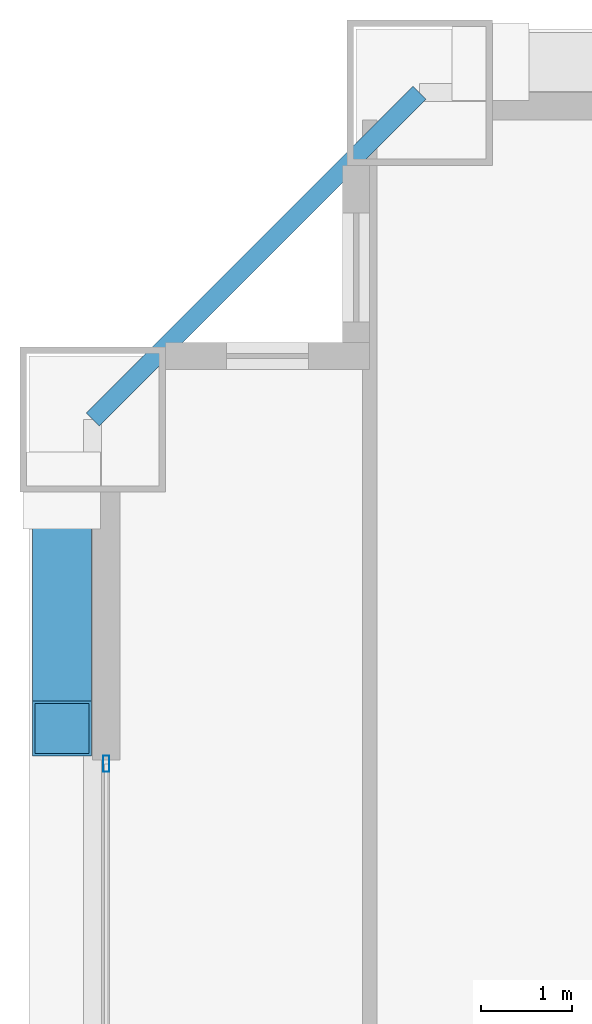
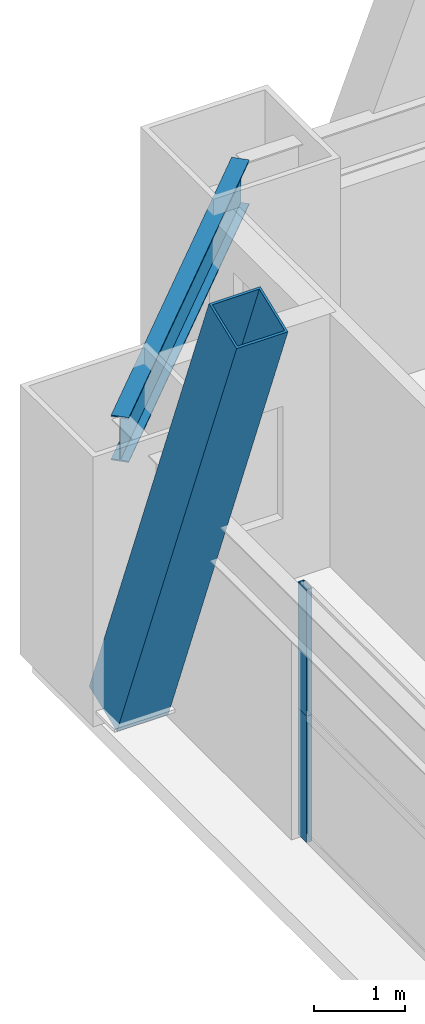
# One storey, part 26 of 43: 3 members, 1 beam, 1 element without a shape of its own.
"""IFC4 building model written with IfcOpenShell, lengths in metres."""

from ifc_helpers import new_model, si_unit, direction, frame, origin, origin_2d, place, context, subcontext, project, spatial, hollow_rectangle, i_section, extrude, source, transform, mapped, material, layer, layer_set, material_profile, profile_set, type_object, element, aggregate, save


model = new_model("IFC4")

# Units and contexts
model_context = context("Model", 3, precision=1e-05, world=origin(), true_north=direction((0.0, 1.0)))
body_context = subcontext(model_context, "Body", "Model", "MODEL_VIEW")
ifc_project = project(units=[si_unit("LENGTHUNIT", "METRE"), si_unit("AREAUNIT", "SQUARE_METRE"), si_unit("VOLUMEUNIT", "CUBIC_METRE"), si_unit("PLANEANGLEUNIT", "RADIAN"), si_unit("MASSUNIT", "GRAM", prefix="KILO"), si_unit("THERMODYNAMICTEMPERATUREUNIT", "KELVIN"), si_unit("POWERUNIT", "WATT")], contexts=[model_context])

# Site, building, storey
site_placement = place(None, origin())
site = spatial("IfcSite", under=ifc_project, at=site_placement, CompositionType="ELEMENT")
building_placement = place(site_placement, origin())
building = spatial("IfcBuilding", under=site, at=building_placement, Name="Yuzanri Waterfront Tower", CompositionType="ELEMENT")
storey_placement = place(building_placement, frame((0.0, 0.0, 138.0)))
storey = spatial("IfcBuildingStorey", under=building, at=storey_placement, Name="L36", CompositionType="ELEMENT", Elevation=138.0)

# Beam
ifc_material_1 = material(Name="Steel Q355B", Category="steel")
ifc_material_profile_1 = material_profile(ifc_material_1, i_section(OverallWidth=0.199951171875, OverallDepth=0.60009765625, WebThickness=0.010986328125, FlangeThickness=0.01708984375, at=origin_2d()), Name="HN 600x200x11x17")
ifc_profile_set_1 = profile_set([ifc_material_profile_1], Name="Steel Q355B")
beam_type = type_object("IfcBeamType", Name="Perimeter Spandrel Q355B HN 600x200", PredefinedType="SPANDREL", material=ifc_profile_set_1)
shared_shape_1 = source(origin(), body_context, "Body", "SweptSolid", [
    extrude(i_section(OverallWidth=0.199951171875, OverallDepth=0.60009765625, WebThickness=0.010986328125, FlangeThickness=0.01708984375, at=origin_2d()), origin(), (0.0, 0.0, 1.0), 5.091064453125),
])
beam_placement = place(storey_placement, frame((17.0, 49.39990234375, 3.080078125), z_axis=(-0.707130757816, -0.707082803744, 0.0), x_axis=(0.707082803744, -0.707130757816, 0.0)))
element("IfcBeam", 1, at=beam_placement, inside=storey, type_object=beam_type, Name="L36 Perimeter Spandrel N1-W3", PredefinedType="SPANDREL", context=body_context, shape_type="MappedRepresentation", body=[
    mapped(shared_shape_1, transform((0.0, 0.0, 0.0), scale=1.0)),
])

# Member
ifc_material_2 = material(Name="Steel Q420GJC", Category="steel")
ifc_material_profile_2 = material_profile(ifc_material_2, hollow_rectangle(XDim=0.64990234375, YDim=0.64990234375, WallThickness=0.028076171875, at=origin_2d()), Name="RHS 650x650x28")
ifc_profile_set_2 = profile_set([ifc_material_profile_2], Name="Steel Q420GJC")
member_type_1 = type_object("IfcMemberType", Name="Mega Brace Lower Q420GJC RHS 650x650x28", PredefinedType="BRACE", material=ifc_profile_set_2)
shared_shape_2 = source(origin(), body_context, "Body", "SweptSolid", [
    extrude(hollow_rectangle(XDim=0.64990234375, YDim=0.64990234375, WallThickness=0.028076171875, at=origin_2d()), origin(), (0.0, 0.0, 1.0), 7.194091796875),
])
member_1_placement = place(storey_placement, frame((13.06005859375, 45.02001953125, 0.179931640625), z_axis=(0.0, -0.36420612543, 0.931318365651), x_axis=(1.0, 0.0, 0.0)))
element("IfcMember", 2, at=member_1_placement, inside=storey, type_object=member_type_1, Name="L36-L37 Perimeter Mega-Brace W-R", PredefinedType="BRACE", context=body_context, shape_type="MappedRepresentation", body=[
    mapped(shared_shape_2, transform((0.0, 0.0, 0.0), scale=1.0)),
])

# Curtain wall, members
ifc_material_3 = material(Name="Anodized Architectural Bronze", Category="metal")
ifc_layer = layer(ifc_material_3, 0.159912109375)
ifc_layer_set = layer_set([ifc_layer], Name="Anodized Architectural Bronze")
curtain_wall_type = type_object("IfcCurtainWallType", Name="Anodized Bronze Hotel Upper-Tier Solar-Control Unitized Curtain Wall 7800", PredefinedType="NOTDEFINED", material=ifc_layer_set)
curtain_wall_placement = place(storey_placement, origin())
curtain_wall = element("IfcCurtainWall", 3, at=curtain_wall_placement, inside=storey, type_object=curtain_wall_type, Name="L36 Curtain Wall CW-L36-WR", PredefinedType="NOTDEFINED")
ifc_material_4 = material(Name="Anodized Architectural Bronze", Category="metal")
ifc_material_profile_3 = material_profile(ifc_material_4, hollow_rectangle(XDim=0.070068359375, YDim=0.179931640625, WallThickness=0.00390625, at=origin_2d()), Name="CWM 70x180")
ifc_profile_set_3 = profile_set([ifc_material_profile_3], Name="Anodized Architectural Bronze")
member_type_2 = type_object("IfcMemberType", Name="Anodized Bronze Standard Curtain-Wall Mullion 70x180", PredefinedType="MULLION", material=ifc_profile_set_3)
shared_shape_3 = source(origin(), body_context, "Body", "SweptSolid", [
    extrude(hollow_rectangle(XDim=0.070068359375, YDim=0.179931640625, WallThickness=0.00390625, at=origin_2d()), origin(), (0.0, 0.0, 1.0), 1.68798828125),
])
member_2_placement = place(storey_placement, frame((13.550048828125, 42.010009765625, 0.0), z_axis=(0.0, 0.0, 1.0), x_axis=(1.0, 0.0, 0.0)))
member_2 = element("IfcMember", 4, at=member_2_placement, type_object=member_type_2, Name="CW-L36-WR Lower Mullion 02", PredefinedType="MULLION", context=body_context, shape_type="MappedRepresentation", body=[
    mapped(shared_shape_3, transform((0.0, 0.0, 0.0), scale=1.0)),
])
member_3_placement = place(storey_placement, frame((13.550048828125, 42.010009765625, 1.69189453125), z_axis=(0.0, 0.0, 1.0), x_axis=(1.0, 0.0, 0.0)))
member_3 = element("IfcMember", 5, at=member_3_placement, type_object=member_type_2, Name="CW-L36-WR Upper Mullion 02", PredefinedType="MULLION", context=body_context, shape_type="MappedRepresentation", body=[
    mapped(shared_shape_3, transform((0.0, 0.0, 0.0), scale=1.0)),
])
aggregate(curtain_wall, [member_2, member_3])

save(model, "model.ifc")
